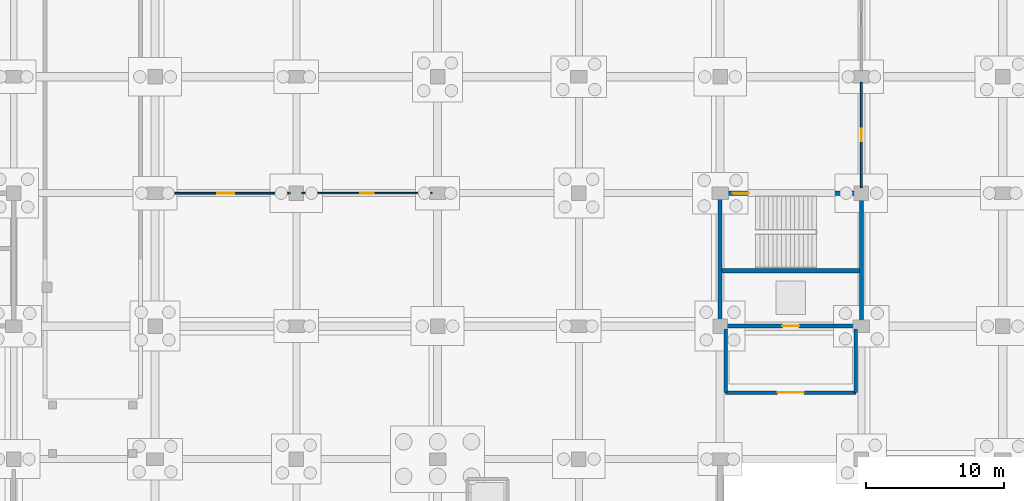
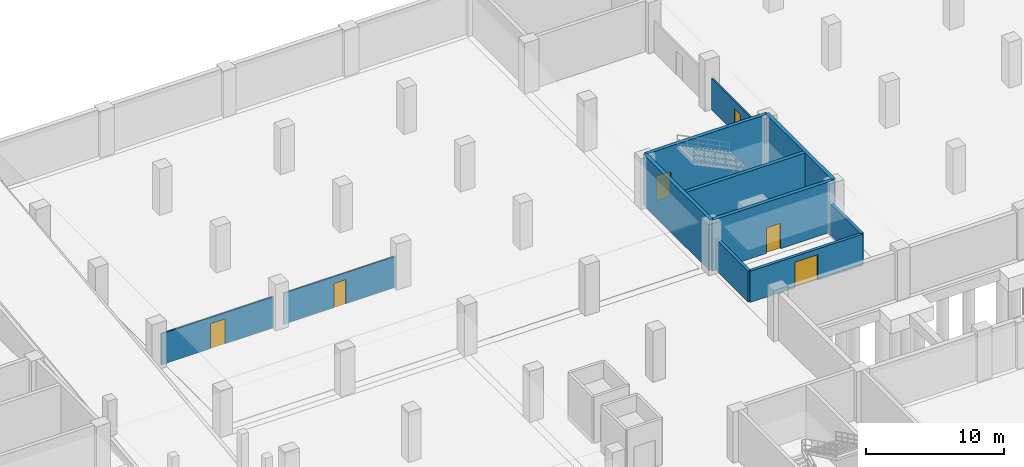
# One storey, part 39 of 52: 11 walls, 6 doors, 6 openings.
"""IFC4 building model written with IfcOpenShell, lengths in metres."""

from ifc_helpers import new_model, si_unit, direction, frame, frame_2d, origin, place, context, subcontext, project, spatial, rectangle, extrude, material, layer, layer_set, type_object, element, fill, save


model = new_model("IFC4")

# Units and contexts
model_context = context("Model", 3, precision=1e-05, world=origin(), true_north=direction((0.0, 1.0)))
body_context = subcontext(model_context, "Body", "Model", "MODEL_VIEW")
ifc_project = project(units=[si_unit("LENGTHUNIT", "METRE"), si_unit("AREAUNIT", "SQUARE_METRE"), si_unit("VOLUMEUNIT", "CUBIC_METRE"), si_unit("PLANEANGLEUNIT", "RADIAN"), si_unit("MASSUNIT", "GRAM", prefix="KILO")], contexts=[model_context])

# Site, building, storey
site_placement = place(None, origin())
site = spatial("IfcSite", under=ifc_project, at=site_placement, CompositionType="ELEMENT")
building_placement = place(site_placement, origin())
building = spatial("IfcBuilding", under=site, at=building_placement, Name="Brelvane Convention Centre", CompositionType="ELEMENT")
storey_placement = place(building_placement, frame((0.0, 0.0, -4.5)))
storey = spatial("IfcBuildingStorey", under=building, at=storey_placement, Name="B1", CompositionType="ELEMENT", Elevation=-4.5)

# Wall, opening, door
ifc_material_1 = material(Name="Concrete M40", Category="concrete")
ifc_layer_1 = layer(ifc_material_1, 0.239990234375)
ifc_layer_set_1 = layer_set([ifc_layer_1], Name="Concrete M40")
wall_type_1 = type_object("IfcWallType", Name="Interior Wall IW-FR-240", PredefinedType="PARTITIONING", material=ifc_layer_set_1)
wall_1_placement = place(storey_placement, frame((163.60009765625, 104.39990234375, 0.0), z_axis=(0.0, 0.0, 1.0), x_axis=(1.0, 0.0, 0.0)))
wall_1 = element("IfcWall", 1, at=wall_1_placement, inside=storey, type_object=wall_type_1, Name="Firefighting Lobby C5 Wall S (B1)", PredefinedType="PARTITIONING", context=body_context, shape_type="SweptSolid", body=[
    extrude(rectangle(XDim=9.39990234375, YDim=0.239990234375, at=frame_2d((4.699951171875, 0.0))), origin(), (0.0, 0.0, 1.0), 2.75),
])
opening_1_placement = place(wall_1_placement, frame((3.75, 0.0, 0.0)))
opening_1 = element("IfcOpeningElement", 2, at=opening_1_placement, cuts=wall_1, Name="Opening DR-FL-01", PredefinedType="OPENING", context=body_context, shape_type="SweptSolid", body=[
    extrude(rectangle(XDim=1.89990234375, YDim=2.25, at=frame_2d((0.949951171875, 1.125))), frame((0.0, 0.1298828125, 0.0), z_axis=(0.0, -1.0, 0.0), x_axis=(1.0, 0.0, 0.0)), (0.0, 0.0, 1.0), 0.260009765625),
])
ifc_material_2 = material(Name="Galvanised Hollow-Metal Fire Door Steel E250", Category="steel")
door_type_1 = type_object("IfcDoorType", Name="Interior Door DR-FL-01", OperationType="NOTDEFINED", PredefinedType="DOOR", material=ifc_material_2)
door_1_placement = place(opening_1_placement, origin())
door_1 = element("IfcDoor", 3, at=door_1_placement, inside=storey, type_object=door_type_1, Name="Firefighting Lobby C5 Smoke Door (B1)", OperationType="DOUBLE_DOOR_SINGLE_SWING", OverallHeight=2.25, OverallWidth=1.89990234375, PredefinedType="DOOR", context=body_context, shape_type="SweptSolid", body=[
    extrude(rectangle(XDim=1.89990234375, YDim=2.25, at=frame_2d((0.949951171875, 1.125))), frame((0.0, 0.02490234375, 0.0), z_axis=(0.0, -1.0, 0.0), x_axis=(1.0, 0.0, 0.0)), (0.0, 0.0, 1.0), 0.050048828125),
])
fill(opening_1, door_1)

# Walls
for number, where, z_axis, x_axis, name in (
    (4, (163.60009765625, 104.39990234375, 0.0), (0.0, 0.0, 1.0), (0.0, 1.0, 0.0), "Firefighting Lobby C5 Wall W (B1)"),
    (5, (173.0, 104.39990234375, 0.0), (0.0, 0.0, 1.0), (0.0, 1.0, 0.0), "Firefighting Lobby C5 Wall E (B1)"),
):
    element("IfcWall", number, at=place(storey_placement, frame(where, z_axis=z_axis, x_axis=x_axis)), inside=storey, type_object=wall_type_1, Name=name, PredefinedType="PARTITIONING", context=body_context, shape_type="SweptSolid", body=[
        extrude(rectangle(XDim=4.60009765625, YDim=0.239990234375, at=frame_2d((2.300048828125, 0.0))), origin(), (0.0, 0.0, 1.0), 2.75),
    ])

# Wall, opening, door
ifc_material_3 = material(Name="Fire-Rated Acoustic Gypsum Partition Board Grade A")
ifc_layer_2 = layer(ifc_material_3, 0.114990234375)
ifc_layer_set_2 = layer_set([ifc_layer_2], Name="Fire-Rated Acoustic Gypsum Partition Board Grade A")
wall_type_2 = type_object("IfcWallType", Name="Interior Wall IW-PT-115", PredefinedType="PARTITIONING", material=ifc_layer_set_2)
wall_2_placement = place(storey_placement, frame((133.0, 118.800048828125, 0.0), z_axis=(0.0, 0.0, 1.0), x_axis=(1.0, 0.0, 0.0)))
wall_2 = element("IfcWall", 6, at=wall_2_placement, inside=storey, type_object=wall_type_2, Name="Interior Partition B1-SYDH2", PredefinedType="PARTITIONING", context=body_context, shape_type="SweptSolid", body=[
    extrude(rectangle(XDim=9.39990234375, YDim=0.114990234375, at=frame_2d((4.699951171875, 0.0))), origin(), (0.0, 0.0, 1.0), 2.75),
])
opening_2_placement = place(wall_2_placement, frame((4.199951171875, 0.0, 0.0)))
opening_2 = element("IfcOpeningElement", 7, at=opening_2_placement, cuts=wall_2, Name="Opening DR-IN-01L", PredefinedType="OPENING", context=body_context, shape_type="SweptSolid", body=[
    extrude(rectangle(XDim=1.0, YDim=2.14990234375, at=frame_2d((0.5, 1.074951171875))), frame((0.0, 0.0673828125, 0.0), z_axis=(0.0, -1.0, 0.0), x_axis=(1.0, 0.0, 0.0)), (0.0, 0.0, 1.0), 0.135009765625),
])
ifc_material_4 = material(Name="Solid-Core Fire-Rated Hardwood Leaf Grade 1", Category="wood")
door_type_2 = type_object("IfcDoorType", Name="Interior Door DR-IN-01L", OperationType="NOTDEFINED", PredefinedType="DOOR", material=ifc_material_4)
door_2_placement = place(opening_2_placement, origin())
door_2 = element("IfcDoor", 8, at=door_2_placement, inside=storey, type_object=door_type_2, Name="Interior Door B1-SYDH2 (DR-IN-01L)", OperationType="SINGLE_SWING_LEFT", OverallHeight=2.14990234375, OverallWidth=1.0, PredefinedType="DOOR", context=body_context, shape_type="SweptSolid", body=[
    extrude(rectangle(XDim=1.0, YDim=2.14990234375, at=frame_2d((0.5, 1.074951171875))), frame((0.0, 0.02490234375, 0.0), z_axis=(0.0, -1.0, 0.0), x_axis=(1.0, 0.0, 0.0)), (0.0, 0.0, 1.0), 0.050048828125),
])
fill(opening_2, door_2)

ifc_material_5 = material(Name="Fire-Rated Acoustic Gypsum Partition Board Grade A")
ifc_layer_3 = layer(ifc_material_5, 0.125)
ifc_layer_set_3 = layer_set([ifc_layer_3], Name="Fire-Rated Acoustic Gypsum Partition Board Grade A")
wall_type_3 = type_object("IfcWallType", Name="Interior Wall IW-PT-125", PredefinedType="PARTITIONING", material=ifc_layer_set_3)
wall_3_placement = place(storey_placement, frame((122.800048828125, 118.800048828125, 0.0), z_axis=(0.0, 0.0, 1.0), x_axis=(1.0, 0.0, 0.0)))
wall_3 = element("IfcWall", 9, at=wall_3_placement, inside=storey, type_object=wall_type_3, Name="Interior Partition B1-SYDH1", PredefinedType="PARTITIONING", context=body_context, shape_type="SweptSolid", body=[
    extrude(rectangle(XDim=9.39990234375, YDim=0.125, at=frame_2d((4.699951171875, 0.0))), origin(), (0.0, 0.0, 1.0), 2.75),
])
opening_3_placement = place(wall_3_placement, frame((4.090087890625, 0.0, 0.0)))
opening_3 = element("IfcOpeningElement", 10, at=opening_3_placement, cuts=wall_3, Name="Opening DR-IN-14R", PredefinedType="OPENING", context=body_context, shape_type="SweptSolid", body=[
    extrude(rectangle(XDim=1.219970703125, YDim=2.219970703125, at=frame_2d((0.60986328125, 1.10986328125))), frame((0.0, 0.072509765625, 0.0), z_axis=(0.0, -1.0, 0.0), x_axis=(1.0, 0.0, 0.0)), (0.0, 0.0, 1.0), 0.14501953125),
])
ifc_material_6 = material(Name="Galvanised Hollow-Metal Fire Door Steel E250", Category="steel")
door_type_3 = type_object("IfcDoorType", Name="Interior Door DR-IN-14R", OperationType="NOTDEFINED", PredefinedType="DOOR", material=ifc_material_6)
door_3_placement = place(opening_3_placement, origin())
door_3 = element("IfcDoor", 11, at=door_3_placement, inside=storey, type_object=door_type_3, Name="Interior Door B1-SYDH1 (DR-IN-14R)", OperationType="SINGLE_SWING_RIGHT", OverallHeight=2.219970703125, OverallWidth=1.219970703125, PredefinedType="DOOR", context=body_context, shape_type="SweptSolid", body=[
    extrude(rectangle(XDim=1.219970703125, YDim=2.219970703125, at=frame_2d((0.60986328125, 1.10986328125))), frame((0.0, 0.02490234375, 0.0), z_axis=(0.0, -1.0, 0.0), x_axis=(1.0, 0.0, 0.0)), (0.0, 0.0, 1.0), 0.050048828125),
])
fill(opening_3, door_3)

ifc_material_7 = material(Name="Fire-Rated Acoustic Gypsum Partition Board Grade A")
ifc_layer_4 = layer(ifc_material_7, 0.135009765625)
ifc_layer_set_4 = layer_set([ifc_layer_4], Name="Fire-Rated Acoustic Gypsum Partition Board Grade A")
wall_type_4 = type_object("IfcWallType", Name="Interior Wall IW-PT-135", PredefinedType="PARTITIONING", material=ifc_layer_set_4)
wall_4_placement = place(storey_placement, frame((173.39990234375, 119.199951171875, 0.0), z_axis=(0.0, 0.0, 1.0), x_axis=(0.0, 1.0, 0.0)))
wall_4 = element("IfcWall", 12, at=wall_4_placement, inside=storey, type_object=wall_type_4, Name="Interior Partition B1-SUBST", PredefinedType="PARTITIONING", context=body_context, shape_type="SweptSolid", body=[
    extrude(rectangle(XDim=7.60009765625, YDim=0.135009765625, at=frame_2d((3.800048828125, 0.0))), origin(), (0.0, 0.0, 1.0), 2.75),
])
opening_4_placement = place(wall_4_placement, frame((3.360107421875, 0.0, 0.0)))
opening_4 = element("IfcOpeningElement", 13, at=opening_4_placement, cuts=wall_4, Name="Opening DR-IN-11L", PredefinedType="OPENING", context=body_context, shape_type="SweptSolid", body=[
    extrude(rectangle(XDim=0.8798828125, YDim=2.080078125, at=frame_2d((0.43994140625, 1.0400390625))), frame((0.0, 0.077392578125, 0.0), z_axis=(0.0, -1.0, 0.0), x_axis=(1.0, 0.0, 0.0)), (0.0, 0.0, 1.0), 0.155029296875),
])
ifc_material_8 = material(Name="Solid-Core Fire-Rated Hardwood Leaf Grade 1", Category="wood")
door_type_4 = type_object("IfcDoorType", Name="Interior Door DR-IN-11L", OperationType="NOTDEFINED", PredefinedType="DOOR", material=ifc_material_8)
door_4_placement = place(opening_4_placement, origin())
door_4 = element("IfcDoor", 14, at=door_4_placement, inside=storey, type_object=door_type_4, Name="Interior Door B1-SUBST (DR-IN-11L)", OperationType="SINGLE_SWING_LEFT", OverallHeight=2.080078125, OverallWidth=0.8798828125, PredefinedType="DOOR", context=body_context, shape_type="SweptSolid", body=[
    extrude(rectangle(XDim=0.8798828125, YDim=2.080078125, at=frame_2d((0.43994140625, 1.0400390625))), frame((0.0, 0.02490234375, 0.0), z_axis=(0.0, -1.0, 0.0), x_axis=(1.0, 0.0, 0.0)), (0.0, 0.0, 1.0), 0.050048828125),
])
fill(opening_4, door_4)

ifc_material_9 = material(Name="Concrete M50", Category="concrete")
ifc_layer_5 = layer(ifc_material_9, 0.300048828125)
ifc_layer_set_5 = layer_set([ifc_layer_5], Name="Concrete M50")
wall_type_5 = type_object("IfcWallType", Name="Structural Wall WL-CORE-300", PredefinedType="SHEAR", material=ifc_layer_set_5)
wall_5_placement = place(storey_placement, frame((163.199951171875, 109.199951171875, 0.0), z_axis=(0.0, 0.0, 1.0), x_axis=(1.0, 0.0, 0.0)))
wall_5 = element("IfcWall", 15, at=wall_5_placement, inside=storey, type_object=wall_type_5, Name="Core C5 Shear Wall S (B1)", PredefinedType="SHEAR", context=body_context, shape_type="SweptSolid", body=[
    extrude(rectangle(XDim=10.199951171875, YDim=0.300048828125, at=frame_2d((5.10009765625, 0.0))), origin(), (0.0, 0.0, 1.0), 4.5),
])
opening_5_placement = place(wall_5_placement, frame((4.5, 0.0, 0.0)))
opening_5 = element("IfcOpeningElement", 16, at=opening_5_placement, cuts=wall_5, Name="Opening LD-01", PredefinedType="OPENING", context=body_context, shape_type="SweptSolid", body=[
    extrude(rectangle(XDim=1.199951171875, YDim=2.25, at=frame_2d((0.60009765625, 1.125))), frame((0.0, 0.159912109375, 0.0), z_axis=(0.0, -1.0, 0.0), x_axis=(1.0, 0.0, 0.0)), (0.0, 0.0, 1.0), 0.320068359375),
])
ifc_material_10 = material(Name="Galvanised Hollow-Metal Fire Door Steel E250", Category="steel")
door_type_5 = type_object("IfcDoorType", Name="Interior Door LD-01", OperationType="NOTDEFINED", PredefinedType="DOOR", material=ifc_material_10)
door_5_placement = place(opening_5_placement, origin())
door_5 = element("IfcDoor", 17, at=door_5_placement, inside=storey, type_object=door_type_5, Name="Lift LF-03 Landing Door (B1)", OperationType="SLIDING_TO_LEFT", OverallHeight=2.25, OverallWidth=1.199951171875, PredefinedType="DOOR", context=body_context, shape_type="SweptSolid", body=[
    extrude(rectangle(XDim=1.199951171875, YDim=2.25, at=frame_2d((0.60009765625, 1.125))), frame((0.0, 0.02490234375, 0.0), z_axis=(0.0, -1.0, 0.0), x_axis=(1.0, 0.0, 0.0)), (0.0, 0.0, 1.0), 0.050048828125),
])
fill(opening_5, door_5)

wall_6_placement = place(storey_placement, frame((163.199951171875, 118.800048828125, 0.0), z_axis=(0.0, 0.0, 1.0), x_axis=(1.0, 0.0, 0.0)))
wall_6 = element("IfcWall", 18, at=wall_6_placement, inside=storey, type_object=wall_type_5, Name="Core C5 Shear Wall N (B1)", PredefinedType="SHEAR", context=body_context, shape_type="SweptSolid", body=[
    extrude(rectangle(XDim=10.199951171875, YDim=0.300048828125, at=frame_2d((5.10009765625, 0.0))), origin(), (0.0, 0.0, 1.0), 4.5),
])
opening_6_placement = place(wall_6_placement, frame((0.919921875, 0.0, 0.0)))
opening_6 = element("IfcOpeningElement", 19, at=opening_6_placement, cuts=wall_6, Name="Opening DR-IN-04L", PredefinedType="OPENING", context=body_context, shape_type="SweptSolid", body=[
    extrude(rectangle(XDim=1.159912109375, YDim=2.199951171875, at=frame_2d((0.580078125, 1.10009765625))), frame((0.0, 0.159912109375, 0.0), z_axis=(0.0, -1.0, 0.0), x_axis=(1.0, 0.0, 0.0)), (0.0, 0.0, 1.0), 0.320068359375),
])
ifc_material_11 = material(Name="Galvanised Hollow-Metal Fire Door Steel E250", Category="steel")
door_type_6 = type_object("IfcDoorType", Name="Interior Door DR-IN-04L", OperationType="NOTDEFINED", PredefinedType="DOOR", material=ifc_material_11)
door_6_placement = place(opening_6_placement, origin())
door_6 = element("IfcDoor", 20, at=door_6_placement, inside=storey, type_object=door_type_6, Name="Stair ST-05 Door (B1)", OperationType="SINGLE_SWING_LEFT", OverallHeight=2.199951171875, OverallWidth=1.159912109375, PredefinedType="DOOR", context=body_context, shape_type="SweptSolid", body=[
    extrude(rectangle(XDim=1.159912109375, YDim=2.199951171875, at=frame_2d((0.580078125, 1.10009765625))), frame((0.0, 0.02490234375, 0.0), z_axis=(0.0, -1.0, 0.0), x_axis=(1.0, 0.0, 0.0)), (0.0, 0.0, 1.0), 0.050048828125),
])
fill(opening_6, door_6)

# Walls
for number, where, z_axis, x_axis, name in (
    (21, (163.199951171875, 109.199951171875, 0.0), (0.0, 0.0, 1.0), (0.0, 1.0, 0.0), "Core C5 Shear Wall W (B1)"),
    (22, (173.39990234375, 109.199951171875, 0.0), (0.0, 0.0, 1.0), (0.0, 1.0, 0.0), "Core C5 Shear Wall E (B1)"),
):
    element("IfcWall", number, at=place(storey_placement, frame(where, z_axis=z_axis, x_axis=x_axis)), inside=storey, type_object=wall_type_5, Name=name, PredefinedType="SHEAR", context=body_context, shape_type="SweptSolid", body=[
        extrude(rectangle(XDim=9.60009765625, YDim=0.300048828125, at=frame_2d((4.800048828125, 0.0))), origin(), (0.0, 0.0, 1.0), 4.5),
    ])
wall_7_placement = place(storey_placement, frame((163.35009765625, 113.199951171875, 0.0), z_axis=(0.0, 0.0, 1.0), x_axis=(1.0, 0.0, 0.0)))
element("IfcWall", 23, at=wall_7_placement, inside=storey, type_object=wall_type_5, Name="Core C5 Shaft Divider Wall (B1)", PredefinedType="SHEAR", context=body_context, shape_type="SweptSolid", body=[
    extrude(rectangle(XDim=9.89990234375, YDim=0.300048828125, at=frame_2d((4.949951171875, 0.0))), origin(), (0.0, 0.0, 1.0), 4.5),
])

save(model, "model.ifc")
